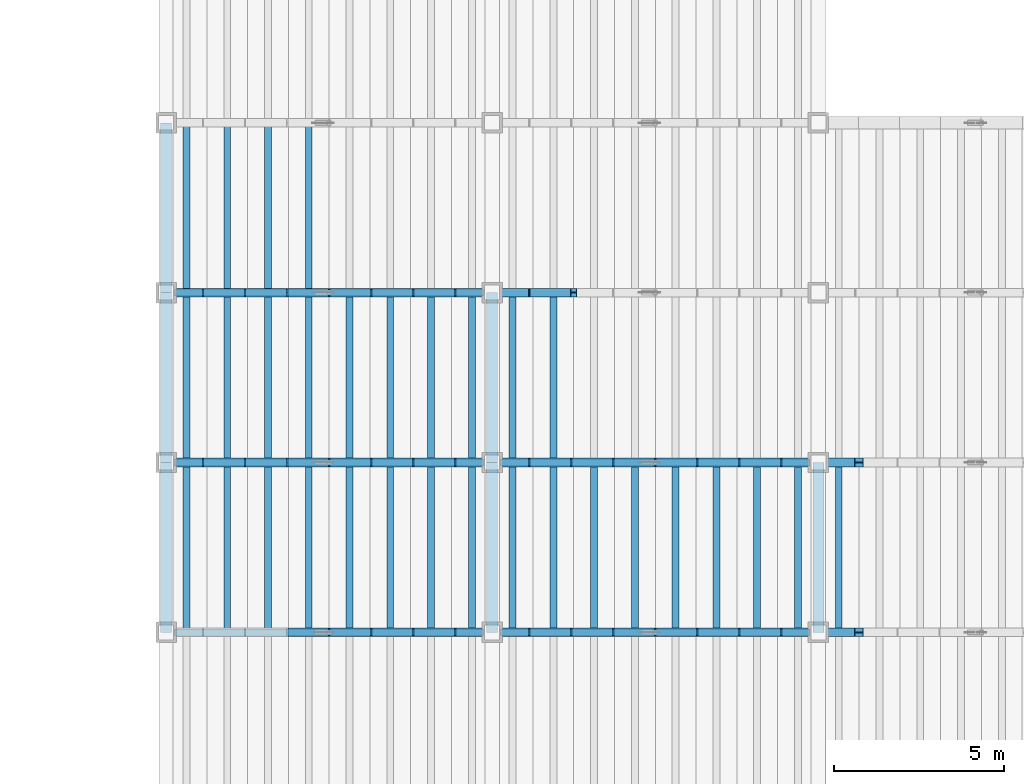
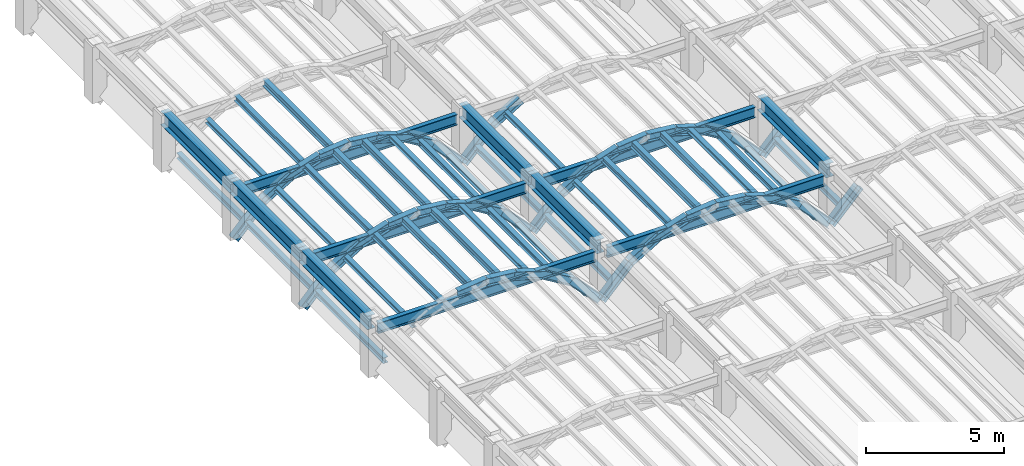
# One storey, part 20 of 70: 72 members, 11 beams.
"""IFC4 building model written with IfcOpenShell, lengths in metres."""

from ifc_helpers import new_model, si_unit, direction, frame, origin, origin_2d, place, context, subcontext, project, spatial, i_section, extrude, material, material_profile, profile_set, type_object, element, save


model = new_model("IFC4")

# Units and contexts
model_context = context("Model", 3, precision=1e-05, world=origin(), true_north=direction((0.0, 1.0)))
body_context = subcontext(model_context, "Body", "Model", "MODEL_VIEW")
ifc_project = project(units=[si_unit("LENGTHUNIT", "METRE"), si_unit("AREAUNIT", "SQUARE_METRE"), si_unit("VOLUMEUNIT", "CUBIC_METRE"), si_unit("PLANEANGLEUNIT", "RADIAN"), si_unit("MASSUNIT", "GRAM", prefix="KILO")], contexts=[model_context])

# Site, building, storey
site_placement = place(None, origin())
site = spatial("IfcSite", under=ifc_project, at=site_placement, CompositionType="ELEMENT")
building_placement = place(site_placement, origin())
building = spatial("IfcBuilding", under=site, at=building_placement, Name="Mavantir Sound Aquarium", CompositionType="ELEMENT")
storey_placement = place(building_placement, frame((0.0, 0.0, 27.0)))
storey = spatial("IfcBuildingStorey", under=building, at=storey_placement, Name="RF", CompositionType="ELEMENT", Elevation=27.0)

# Beams
ifc_material = material(Name="Structural Steel ASTM A992 Gr50", Category="steel")
ifc_material_profile_1 = material_profile(ifc_material, i_section(OverallWidth=0.194091796875, OverallDepth=0.468994140625, WebThickness=0.0126953125, FlangeThickness=0.0205078125, FilletRadius=0.01611328125, at=origin_2d()), Name="W460X106")
ifc_profile_set_1 = profile_set([ifc_material_profile_1], Name="Structural Steel ASTM A992 Gr50")
beam_type_1 = type_object("IfcBeamType", Name="BM-W460X106-I", PredefinedType="BEAM", material=ifc_profile_set_1)
for number, where, z_axis, x_axis, name in (
    (1, (108.25, 65.800048828125, -5.327392578125), (1.0, 0.0, 0.0), (0.0, 1.0, 0.0), "Scalloped bay 1 transverse tie girder 41"),
    (2, (108.25, 70.800048828125, -5.327392578125), (1.0, 0.0, 0.0), (0.0, 1.0, 0.0), "Scalloped bay 1 transverse tie girder 51"),
    (3, (108.25, 75.800048828125, -5.327392578125), (1.0, 0.0, 0.0), (0.0, 1.0, 0.0), "Scalloped bay 1 transverse tie girder 61"),
):
    element("IfcBeam", number, at=place(storey_placement, frame(where, z_axis=z_axis, x_axis=x_axis)), inside=storey, type_object=beam_type_1, Name=name, PredefinedType="BEAM", context=body_context, shape_type="SweptSolid", body=[
        extrude(i_section(OverallWidth=0.194091796875, OverallDepth=0.468994140625, WebThickness=0.0126953125, FlangeThickness=0.0205078125, FilletRadius=0.01611328125, at=origin_2d()), origin(), (0.0, 0.0, 1.0), 9.10009765625),
    ])
for number, where, z_axis, x_axis, name in (
    (4, (117.85009765625, 65.800048828125, -5.327392578125), (1.0, 0.0, 0.0), (0.0, 1.0, 0.0), "Scalloped bay 2 transverse tie girder 141"),
    (5, (117.85009765625, 70.800048828125, -5.327392578125), (1.0, 0.0, 0.0), (0.0, 1.0, 0.0), "Scalloped bay 2 transverse tie girder 151"),
):
    element("IfcBeam", number, at=place(storey_placement, frame(where, z_axis=z_axis, x_axis=x_axis)), inside=storey, type_object=beam_type_1, Name=name, PredefinedType="BEAM", context=body_context, shape_type="SweptSolid", body=[
        extrude(i_section(OverallWidth=0.194091796875, OverallDepth=0.468994140625, WebThickness=0.0126953125, FlangeThickness=0.0205078125, FilletRadius=0.01611328125, at=origin_2d()), origin(), (0.0, 0.0, 1.0), 9.099853515625),
    ])
ifc_material_profile_2 = material_profile(ifc_material, i_section(OverallWidth=0.323974609375, OverallDepth=0.611083984375, WebThickness=0.0126953125, FlangeThickness=0.01904296875, FilletRadius=0.01904296875, at=origin_2d()), Name="W610X155")
ifc_profile_set_2 = profile_set([ifc_material_profile_2], Name="Structural Steel ASTM A992 Gr50")
beam_type_2 = type_object("IfcBeamType", Name="BM-W610X155-E", PredefinedType="BEAM", material=ifc_profile_set_2)
for number, where, z_axis, x_axis, name in (
    (6, (108.0, 65.800048828125, -5.0048828125), (0.0, 1.0, 0.0), (-1.0, 0.0, 0.0), "Scalloped roof straight ridge beam 5"),
    (7, (108.0, 70.800048828125, -5.0048828125), (0.0, 1.0, 0.0), (-1.0, 0.0, 0.0), "Scalloped roof straight ridge beam 6"),
    (8, (108.0, 75.800048828125, -5.0048828125), (0.0, 1.0, 0.0), (-1.0, 0.0, 0.0), "Scalloped roof straight ridge beam 7"),
    (9, (117.60009765625, 65.800048828125, -5.0048828125), (0.0, 1.0, 0.0), (-1.0, 0.0, 0.0), "Scalloped roof straight ridge beam 14"),
    (10, (117.60009765625, 70.800048828125, -5.0048828125), (0.0, 1.0, 0.0), (-1.0, 0.0, 0.0), "Scalloped roof straight ridge beam 15"),
    (11, (127.199951171875, 65.800048828125, -5.0048828125), (0.0, 1.0, 0.0), (-1.0, 0.0, 0.0), "Scalloped roof straight ridge beam 23"),
):
    element("IfcBeam", number, at=place(storey_placement, frame(where, z_axis=z_axis, x_axis=x_axis)), inside=storey, type_object=beam_type_2, Name=name, PredefinedType="BEAM", context=body_context, shape_type="SweptSolid", body=[
        extrude(i_section(OverallWidth=0.323974609375, OverallDepth=0.611083984375, WebThickness=0.0126953125, FlangeThickness=0.01904296875, FilletRadius=0.01904296875, at=origin_2d()), origin(), (0.0, 0.0, 1.0), 5.0),
    ])

# Members
ifc_material_profile_3 = material_profile(ifc_material, i_section(OverallWidth=0.202880859375, OverallDepth=0.202880859375, WebThickness=0.007080078125, FlangeThickness=0.010986328125, FilletRadius=0.010009765625, at=origin_2d()), Name="W200X46")
ifc_profile_set_3 = profile_set([ifc_material_profile_3], Name="Structural Steel ASTM A992 Gr50")
member_type_1 = type_object("IfcMemberType", Name="MEM-TR-W200", PredefinedType="PURLIN", material=ifc_profile_set_3)
for number, where, z_axis, x_axis, name in (
    (12, (109.800048828125, 65.800048828125, -5.77978515625), (0.0, 1.0, 0.0), (-1.0, 0.0, 0.0), "Scalloped bay 1 roof purlin 34"),
    (13, (114.60009765625, 65.800048828125, -5.169921875), (0.0, 1.0, 0.0), (-1.0, 0.0, 0.0), "Scalloped bay 1 roof purlin 38"),
    (14, (117.0, 65.800048828125, -6.881103515625), (0.0, 1.0, 0.0), (-1.0, 0.0, 0.0), "Scalloped bay 1 roof purlin 40"),
    (15, (109.800048828125, 70.800048828125, -5.77978515625), (0.0, 1.0, 0.0), (-1.0, 0.0, 0.0), "Scalloped bay 1 roof purlin 42"),
    (16, (114.60009765625, 70.800048828125, -5.169921875), (0.0, 1.0, 0.0), (-1.0, 0.0, 0.0), "Scalloped bay 1 roof purlin 46"),
    (17, (117.0, 70.800048828125, -6.881103515625), (0.0, 1.0, 0.0), (-1.0, 0.0, 0.0), "Scalloped bay 1 roof purlin 48"),
    (18, (109.800048828125, 75.800048828125, -5.77978515625), (0.0, 1.0, 0.0), (-1.0, 0.0, 0.0), "Scalloped bay 1 roof purlin 50"),
    (19, (119.39990234375, 65.800048828125, -5.77978515625), (0.0, 1.0, 0.0), (-1.0, 0.0, 0.0), "Scalloped bay 2 roof purlin 106"),
    (20, (124.199951171875, 65.800048828125, -5.169921875), (0.0, 1.0, 0.0), (-1.0, 0.0, 0.0), "Scalloped bay 2 roof purlin 110"),
    (21, (126.60009765625, 65.800048828125, -6.881103515625), (0.0, 1.0, 0.0), (-1.0, 0.0, 0.0), "Scalloped bay 2 roof purlin 112"),
    (22, (119.39990234375, 70.800048828125, -5.77978515625), (0.0, 1.0, 0.0), (-1.0, 0.0, 0.0), "Scalloped bay 2 roof purlin 114"),
):
    element("IfcMember", number, at=place(storey_placement, frame(where, z_axis=z_axis, x_axis=x_axis)), inside=storey, type_object=member_type_1, Name=name, PredefinedType="PURLIN", context=body_context, shape_type="SweptSolid", body=[
        extrude(i_section(OverallWidth=0.202880859375, OverallDepth=0.202880859375, WebThickness=0.007080078125, FlangeThickness=0.010986328125, FilletRadius=0.010009765625, at=origin_2d()), origin(), (0.0, 0.0, 1.0), 5.0),
    ])
ifc_material_profile_4 = material_profile(ifc_material, i_section(OverallWidth=0.202880859375, OverallDepth=0.251953125, WebThickness=0.008056640625, FlangeThickness=0.013427734375, FilletRadius=0.011962890625, at=origin_2d()), Name="W250X58")
ifc_profile_set_4 = profile_set([ifc_material_profile_4], Name="Structural Steel ASTM A992 Gr50")
member_type_2 = type_object("IfcMemberType", Name="MEM-TR-W250", PredefinedType="PURLIN", material=ifc_profile_set_4)
for number, where, z_axis, x_axis, name in (
    (23, (108.60009765625, 65.800048828125, -6.90576171875), (0.0, 1.0, 0.0), (-1.0, 0.0, 0.0), "Scalloped bay 1 roof purlin 33"),
    (24, (111.0, 65.800048828125, -5.194580078125), (0.0, 1.0, 0.0), (-1.0, 0.0, 0.0), "Scalloped bay 1 roof purlin 35"),
    (25, (115.800048828125, 65.800048828125, -5.804443359375), (0.0, 1.0, 0.0), (-1.0, 0.0, 0.0), "Scalloped bay 1 roof purlin 39"),
    (26, (108.60009765625, 70.800048828125, -6.90576171875), (0.0, 1.0, 0.0), (-1.0, 0.0, 0.0), "Scalloped bay 1 roof purlin 41"),
    (27, (111.0, 70.800048828125, -5.194580078125), (0.0, 1.0, 0.0), (-1.0, 0.0, 0.0), "Scalloped bay 1 roof purlin 43"),
    (28, (115.800048828125, 70.800048828125, -5.804443359375), (0.0, 1.0, 0.0), (-1.0, 0.0, 0.0), "Scalloped bay 1 roof purlin 47"),
    (29, (108.60009765625, 75.800048828125, -6.90576171875), (0.0, 1.0, 0.0), (-1.0, 0.0, 0.0), "Scalloped bay 1 roof purlin 49"),
    (30, (111.0, 75.800048828125, -5.194580078125), (0.0, 1.0, 0.0), (-1.0, 0.0, 0.0), "Scalloped bay 1 roof purlin 51"),
    (31, (118.199951171875, 65.800048828125, -6.90576171875), (0.0, 1.0, 0.0), (-1.0, 0.0, 0.0), "Scalloped bay 2 roof purlin 105"),
    (32, (120.60009765625, 65.800048828125, -5.194580078125), (0.0, 1.0, 0.0), (-1.0, 0.0, 0.0), "Scalloped bay 2 roof purlin 107"),
    (33, (125.39990234375, 65.800048828125, -5.804443359375), (0.0, 1.0, 0.0), (-1.0, 0.0, 0.0), "Scalloped bay 2 roof purlin 111"),
    (34, (118.199951171875, 70.800048828125, -6.90576171875), (0.0, 1.0, 0.0), (-1.0, 0.0, 0.0), "Scalloped bay 2 roof purlin 113"),
    (35, (127.800048828125, 65.800048828125, -6.90576171875), (0.0, 1.0, 0.0), (-1.0, 0.0, 0.0), "Scalloped bay 3 roof purlin 169"),
):
    element("IfcMember", number, at=place(storey_placement, frame(where, z_axis=z_axis, x_axis=x_axis)), inside=storey, type_object=member_type_2, Name=name, PredefinedType="PURLIN", context=body_context, shape_type="SweptSolid", body=[
        extrude(i_section(OverallWidth=0.202880859375, OverallDepth=0.251953125, WebThickness=0.008056640625, FlangeThickness=0.013427734375, FilletRadius=0.011962890625, at=origin_2d()), origin(), (0.0, 0.0, 1.0), 5.0),
    ])
ifc_material_profile_5 = material_profile(ifc_material, i_section(OverallWidth=0.205078125, OverallDepth=0.31005859375, WebThickness=0.009521484375, FlangeThickness=0.016357421875, FilletRadius=0.012939453125, at=origin_2d()), Name="W310X74")
ifc_profile_set_5 = profile_set([ifc_material_profile_5], Name="Structural Steel ASTM A992 Gr50")
member_type_3 = type_object("IfcMemberType", Name="MEM-TR-W310", PredefinedType="RAFTER", material=ifc_profile_set_5)
for number, where, z_axis, x_axis, name in (
    (36, (112.199951171875, 65.800048828125, -4.933837890625), (0.0, 1.0, 0.0), (-1.0, 0.0, 0.0), "Scalloped bay 1 roof purlin 36"),
    (37, (113.39990234375, 65.800048828125, -4.933837890625), (0.0, 1.0, 0.0), (-1.0, 0.0, 0.0), "Scalloped bay 1 roof purlin 37"),
    (38, (112.199951171875, 70.800048828125, -4.933837890625), (0.0, 1.0, 0.0), (-1.0, 0.0, 0.0), "Scalloped bay 1 roof purlin 44"),
    (39, (113.39990234375, 70.800048828125, -4.933837890625), (0.0, 1.0, 0.0), (-1.0, 0.0, 0.0), "Scalloped bay 1 roof purlin 45"),
    (40, (112.199951171875, 75.800048828125, -4.933837890625), (0.0, 1.0, 0.0), (-1.0, 0.0, 0.0), "Scalloped bay 1 roof purlin 52"),
    (41, (121.800048828125, 65.800048828125, -4.933837890625), (0.0, 1.0, 0.0), (-1.0, 0.0, 0.0), "Scalloped bay 2 roof purlin 108"),
    (42, (123.0, 65.800048828125, -4.933837890625), (0.0, 1.0, 0.0), (-1.0, 0.0, 0.0), "Scalloped bay 2 roof purlin 109"),
):
    element("IfcMember", number, at=place(storey_placement, frame(where, z_axis=z_axis, x_axis=x_axis)), inside=storey, type_object=member_type_3, Name=name, PredefinedType="RAFTER", context=body_context, shape_type="SweptSolid", body=[
        extrude(i_section(OverallWidth=0.205078125, OverallDepth=0.31005859375, WebThickness=0.009521484375, FlangeThickness=0.016357421875, FilletRadius=0.012939453125, at=origin_2d()), origin(), (0.0, 0.0, 1.0), 5.0),
    ])
ifc_material_profile_6 = material_profile(ifc_material, i_section(OverallWidth=0.25390625, OverallDepth=0.35302734375, WebThickness=0.009521484375, FlangeThickness=0.016357421875, FilletRadius=0.014892578125, at=origin_2d()), Name="W360X91")
ifc_profile_set_6 = profile_set([ifc_material_profile_6], Name="Structural Steel ASTM A992 Gr50")
member_type_4 = type_object("IfcMemberType", Name="MEM-TR-W360", PredefinedType="RAFTER", material=ifc_profile_set_6)
for number, where, z_axis, x_axis, name in (
    (43, (111.60009765625, 65.800048828125, -5.000732421875), (0.994680359373, 0.0, 0.103009624196), (0.0, 1.0, 0.0), "Scalloped bay 1 sagging-arc trough rib 45"),
    (44, (112.800048828125, 65.800048828125, -4.87646484375), (0.994680359373, 0.0, -0.103009624196), (0.0, 1.0, 0.0), "Scalloped bay 1 sagging-arc trough rib 46"),
):
    element("IfcMember", number, at=place(storey_placement, frame(where, z_axis=z_axis, x_axis=x_axis)), inside=storey, type_object=member_type_4, Name=name, PredefinedType="RAFTER", context=body_context, shape_type="SweptSolid", body=[
        extrude(i_section(OverallWidth=0.25390625, OverallDepth=0.35302734375, WebThickness=0.009521484375, FlangeThickness=0.016357421875, FilletRadius=0.014892578125, at=origin_2d()), origin(), (0.0, 0.0, 1.0), 1.206298828125),
    ])
member_1_placement = place(storey_placement, frame((114.0, 65.800048828125, -5.000732421875), z_axis=(0.951055396379, 0.0, -0.309020441102), x_axis=(0.0, 1.0, 0.0)))
element("IfcMember", 45, at=member_1_placement, inside=storey, type_object=member_type_4, Name="Scalloped bay 1 sagging-arc trough rib 48", PredefinedType="RAFTER", context=body_context, shape_type="SweptSolid", body=[
    extrude(i_section(OverallWidth=0.25390625, OverallDepth=0.35302734375, WebThickness=0.009521484375, FlangeThickness=0.016357421875, FilletRadius=0.014892578125, at=origin_2d()), origin(), (0.0, 0.0, 1.0), 1.26171875),
])
member_2_placement = place(storey_placement, frame((115.199951171875, 65.800048828125, -5.390625), z_axis=(0.856645937356, 0.0, -0.515904776109), x_axis=(0.0, 1.0, 0.0)))
element("IfcMember", 46, at=member_2_placement, inside=storey, type_object=member_type_4, Name="Scalloped bay 1 sagging-arc trough rib 49", PredefinedType="RAFTER", context=body_context, shape_type="SweptSolid", body=[
    extrude(i_section(OverallWidth=0.25390625, OverallDepth=0.35302734375, WebThickness=0.009521484375, FlangeThickness=0.016357421875, FilletRadius=0.014892578125, at=origin_2d()), origin(), (0.0, 0.0, 1.0), 1.400634765625),
])
member_3_placement = place(storey_placement, frame((116.39990234375, 65.800048828125, -6.11328125), z_axis=(0.688801013332, 0.0, -0.724950456261), x_axis=(0.0, 1.0, 0.0)))
element("IfcMember", 47, at=member_3_placement, inside=storey, type_object=member_type_4, Name="Scalloped bay 1 sagging-arc trough rib 50", PredefinedType="RAFTER", context=body_context, shape_type="SweptSolid", body=[
    extrude(i_section(OverallWidth=0.25390625, OverallDepth=0.35302734375, WebThickness=0.009521484375, FlangeThickness=0.016357421875, FilletRadius=0.014892578125, at=origin_2d()), origin(), (0.0, 0.0, 1.0), 1.742431640625),
])
member_4_placement = place(storey_placement, frame((108.0, 70.800048828125, -7.37646484375), z_axis=(0.688727365252, 0.0, 0.725020424784), x_axis=(0.0, 1.0, 0.0)))
element("IfcMember", 48, at=member_4_placement, inside=storey, type_object=member_type_4, Name="Scalloped bay 1 sagging-arc trough rib 52", PredefinedType="RAFTER", context=body_context, shape_type="SweptSolid", body=[
    extrude(i_section(OverallWidth=0.25390625, OverallDepth=0.35302734375, WebThickness=0.009521484375, FlangeThickness=0.016357421875, FilletRadius=0.014892578125, at=origin_2d()), origin(), (0.0, 0.0, 1.0), 1.7421875),
])
member_5_placement = place(storey_placement, frame((109.199951171875, 70.800048828125, -6.11328125), z_axis=(0.856645937356, 0.0, 0.515904776109), x_axis=(0.0, 1.0, 0.0)))
element("IfcMember", 49, at=member_5_placement, inside=storey, type_object=member_type_4, Name="Scalloped bay 1 sagging-arc trough rib 53", PredefinedType="RAFTER", context=body_context, shape_type="SweptSolid", body=[
    extrude(i_section(OverallWidth=0.25390625, OverallDepth=0.35302734375, WebThickness=0.009521484375, FlangeThickness=0.016357421875, FilletRadius=0.014892578125, at=origin_2d()), origin(), (0.0, 0.0, 1.0), 1.400634765625),
])
member_6_placement = place(storey_placement, frame((110.39990234375, 70.800048828125, -5.390625), z_axis=(0.951073869353, 0.0, 0.30896358205), x_axis=(0.0, 1.0, 0.0)))
element("IfcMember", 50, at=member_6_placement, inside=storey, type_object=member_type_4, Name="Scalloped bay 1 sagging-arc trough rib 54", PredefinedType="RAFTER", context=body_context, shape_type="SweptSolid", body=[
    extrude(i_section(OverallWidth=0.25390625, OverallDepth=0.35302734375, WebThickness=0.009521484375, FlangeThickness=0.016357421875, FilletRadius=0.014892578125, at=origin_2d()), origin(), (0.0, 0.0, 1.0), 1.261962890625),
])
for number, where, z_axis, x_axis, name in (
    (51, (111.60009765625, 70.800048828125, -5.000732421875), (0.994680359373, 0.0, 0.103009624196), (0.0, 1.0, 0.0), "Scalloped bay 1 sagging-arc trough rib 55"),
    (52, (112.800048828125, 70.800048828125, -4.87646484375), (0.994680359373, 0.0, -0.103009624196), (0.0, 1.0, 0.0), "Scalloped bay 1 sagging-arc trough rib 56"),
):
    element("IfcMember", number, at=place(storey_placement, frame(where, z_axis=z_axis, x_axis=x_axis)), inside=storey, type_object=member_type_4, Name=name, PredefinedType="RAFTER", context=body_context, shape_type="SweptSolid", body=[
        extrude(i_section(OverallWidth=0.25390625, OverallDepth=0.35302734375, WebThickness=0.009521484375, FlangeThickness=0.016357421875, FilletRadius=0.014892578125, at=origin_2d()), origin(), (0.0, 0.0, 1.0), 1.206298828125),
    ])
member_7_placement = place(storey_placement, frame((114.0, 70.800048828125, -5.000732421875), z_axis=(0.951055396379, 0.0, -0.309020441102), x_axis=(0.0, 1.0, 0.0)))
element("IfcMember", 53, at=member_7_placement, inside=storey, type_object=member_type_4, Name="Scalloped bay 1 sagging-arc trough rib 58", PredefinedType="RAFTER", context=body_context, shape_type="SweptSolid", body=[
    extrude(i_section(OverallWidth=0.25390625, OverallDepth=0.35302734375, WebThickness=0.009521484375, FlangeThickness=0.016357421875, FilletRadius=0.014892578125, at=origin_2d()), origin(), (0.0, 0.0, 1.0), 1.26171875),
])
member_8_placement = place(storey_placement, frame((115.199951171875, 70.800048828125, -5.390625), z_axis=(0.856645937356, 0.0, -0.515904776109), x_axis=(0.0, 1.0, 0.0)))
element("IfcMember", 54, at=member_8_placement, inside=storey, type_object=member_type_4, Name="Scalloped bay 1 sagging-arc trough rib 59", PredefinedType="RAFTER", context=body_context, shape_type="SweptSolid", body=[
    extrude(i_section(OverallWidth=0.25390625, OverallDepth=0.35302734375, WebThickness=0.009521484375, FlangeThickness=0.016357421875, FilletRadius=0.014892578125, at=origin_2d()), origin(), (0.0, 0.0, 1.0), 1.400634765625),
])
member_9_placement = place(storey_placement, frame((116.39990234375, 70.800048828125, -6.11328125), z_axis=(0.688801013332, 0.0, -0.724950456261), x_axis=(0.0, 1.0, 0.0)))
element("IfcMember", 55, at=member_9_placement, inside=storey, type_object=member_type_4, Name="Scalloped bay 1 sagging-arc trough rib 60", PredefinedType="RAFTER", context=body_context, shape_type="SweptSolid", body=[
    extrude(i_section(OverallWidth=0.25390625, OverallDepth=0.35302734375, WebThickness=0.009521484375, FlangeThickness=0.016357421875, FilletRadius=0.014892578125, at=origin_2d()), origin(), (0.0, 0.0, 1.0), 1.742431640625),
])
member_10_placement = place(storey_placement, frame((108.0, 75.800048828125, -7.37646484375), z_axis=(0.688727365252, 0.0, 0.725020424784), x_axis=(0.0, 1.0, 0.0)))
element("IfcMember", 56, at=member_10_placement, inside=storey, type_object=member_type_4, Name="Scalloped bay 1 sagging-arc trough rib 62", PredefinedType="RAFTER", context=body_context, shape_type="SweptSolid", body=[
    extrude(i_section(OverallWidth=0.25390625, OverallDepth=0.35302734375, WebThickness=0.009521484375, FlangeThickness=0.016357421875, FilletRadius=0.014892578125, at=origin_2d()), origin(), (0.0, 0.0, 1.0), 1.7421875),
])
member_11_placement = place(storey_placement, frame((109.199951171875, 75.800048828125, -6.11328125), z_axis=(0.856645937356, 0.0, 0.515904776109), x_axis=(0.0, 1.0, 0.0)))
element("IfcMember", 57, at=member_11_placement, inside=storey, type_object=member_type_4, Name="Scalloped bay 1 sagging-arc trough rib 63", PredefinedType="RAFTER", context=body_context, shape_type="SweptSolid", body=[
    extrude(i_section(OverallWidth=0.25390625, OverallDepth=0.35302734375, WebThickness=0.009521484375, FlangeThickness=0.016357421875, FilletRadius=0.014892578125, at=origin_2d()), origin(), (0.0, 0.0, 1.0), 1.400634765625),
])
member_12_placement = place(storey_placement, frame((110.39990234375, 75.800048828125, -5.390625), z_axis=(0.951073869353, 0.0, 0.30896358205), x_axis=(0.0, 1.0, 0.0)))
element("IfcMember", 58, at=member_12_placement, inside=storey, type_object=member_type_4, Name="Scalloped bay 1 sagging-arc trough rib 64", PredefinedType="RAFTER", context=body_context, shape_type="SweptSolid", body=[
    extrude(i_section(OverallWidth=0.25390625, OverallDepth=0.35302734375, WebThickness=0.009521484375, FlangeThickness=0.016357421875, FilletRadius=0.014892578125, at=origin_2d()), origin(), (0.0, 0.0, 1.0), 1.261962890625),
])
for number, where, z_axis, x_axis, name in (
    (59, (111.60009765625, 75.800048828125, -5.000732421875), (0.994680359373, 0.0, 0.103009624196), (0.0, 1.0, 0.0), "Scalloped bay 1 sagging-arc trough rib 65"),
    (60, (112.800048828125, 75.800048828125, -4.87646484375), (0.994680359373, 0.0, -0.103009624196), (0.0, 1.0, 0.0), "Scalloped bay 1 sagging-arc trough rib 66"),
):
    element("IfcMember", number, at=place(storey_placement, frame(where, z_axis=z_axis, x_axis=x_axis)), inside=storey, type_object=member_type_4, Name=name, PredefinedType="RAFTER", context=body_context, shape_type="SweptSolid", body=[
        extrude(i_section(OverallWidth=0.25390625, OverallDepth=0.35302734375, WebThickness=0.009521484375, FlangeThickness=0.016357421875, FilletRadius=0.014892578125, at=origin_2d()), origin(), (0.0, 0.0, 1.0), 1.206298828125),
    ])
member_13_placement = place(storey_placement, frame((114.0, 75.800048828125, -5.000732421875), z_axis=(0.951055396379, 0.0, -0.309020441102), x_axis=(0.0, 1.0, 0.0)))
element("IfcMember", 61, at=member_13_placement, inside=storey, type_object=member_type_4, Name="Scalloped bay 1 sagging-arc trough rib 68", PredefinedType="RAFTER", context=body_context, shape_type="SweptSolid", body=[
    extrude(i_section(OverallWidth=0.25390625, OverallDepth=0.35302734375, WebThickness=0.009521484375, FlangeThickness=0.016357421875, FilletRadius=0.014892578125, at=origin_2d()), origin(), (0.0, 0.0, 1.0), 1.26171875),
])
member_14_placement = place(storey_placement, frame((115.199951171875, 75.800048828125, -5.390625), z_axis=(0.856645937356, 0.0, -0.515904776109), x_axis=(0.0, 1.0, 0.0)))
element("IfcMember", 62, at=member_14_placement, inside=storey, type_object=member_type_4, Name="Scalloped bay 1 sagging-arc trough rib 69", PredefinedType="RAFTER", context=body_context, shape_type="SweptSolid", body=[
    extrude(i_section(OverallWidth=0.25390625, OverallDepth=0.35302734375, WebThickness=0.009521484375, FlangeThickness=0.016357421875, FilletRadius=0.014892578125, at=origin_2d()), origin(), (0.0, 0.0, 1.0), 1.400634765625),
])
member_15_placement = place(storey_placement, frame((116.39990234375, 75.800048828125, -6.11328125), z_axis=(0.688801013332, 0.0, -0.724950456261), x_axis=(0.0, 1.0, 0.0)))
element("IfcMember", 63, at=member_15_placement, inside=storey, type_object=member_type_4, Name="Scalloped bay 1 sagging-arc trough rib 70", PredefinedType="RAFTER", context=body_context, shape_type="SweptSolid", body=[
    extrude(i_section(OverallWidth=0.25390625, OverallDepth=0.35302734375, WebThickness=0.009521484375, FlangeThickness=0.016357421875, FilletRadius=0.014892578125, at=origin_2d()), origin(), (0.0, 0.0, 1.0), 1.742431640625),
])
member_16_placement = place(storey_placement, frame((117.60009765625, 65.800048828125, -7.37646484375), z_axis=(0.688727365252, 0.0, 0.725020424784), x_axis=(0.0, 1.0, 0.0)))
element("IfcMember", 64, at=member_16_placement, inside=storey, type_object=member_type_4, Name="Scalloped bay 2 sagging-arc trough rib 142", PredefinedType="RAFTER", context=body_context, shape_type="SweptSolid", body=[
    extrude(i_section(OverallWidth=0.25390625, OverallDepth=0.35302734375, WebThickness=0.009521484375, FlangeThickness=0.016357421875, FilletRadius=0.014892578125, at=origin_2d()), origin(), (0.0, 0.0, 1.0), 1.7421875),
])
member_17_placement = place(storey_placement, frame((118.800048828125, 65.800048828125, -6.11328125), z_axis=(0.856645937356, 0.0, 0.515904776109), x_axis=(0.0, 1.0, 0.0)))
element("IfcMember", 65, at=member_17_placement, inside=storey, type_object=member_type_4, Name="Scalloped bay 2 sagging-arc trough rib 143", PredefinedType="RAFTER", context=body_context, shape_type="SweptSolid", body=[
    extrude(i_section(OverallWidth=0.25390625, OverallDepth=0.35302734375, WebThickness=0.009521484375, FlangeThickness=0.016357421875, FilletRadius=0.014892578125, at=origin_2d()), origin(), (0.0, 0.0, 1.0), 1.400634765625),
])
member_18_placement = place(storey_placement, frame((120.0, 65.800048828125, -5.390625), z_axis=(0.951055396379, 0.0, 0.309020441102), x_axis=(0.0, 1.0, 0.0)))
element("IfcMember", 66, at=member_18_placement, inside=storey, type_object=member_type_4, Name="Scalloped bay 2 sagging-arc trough rib 144", PredefinedType="RAFTER", context=body_context, shape_type="SweptSolid", body=[
    extrude(i_section(OverallWidth=0.25390625, OverallDepth=0.35302734375, WebThickness=0.009521484375, FlangeThickness=0.016357421875, FilletRadius=0.014892578125, at=origin_2d()), origin(), (0.0, 0.0, 1.0), 1.26171875),
])
member_19_placement = place(storey_placement, frame((121.199951171875, 65.800048828125, -5.000732421875), z_axis=(0.994680359373, 0.0, 0.103009624196), x_axis=(0.0, 1.0, 0.0)))
element("IfcMember", 67, at=member_19_placement, inside=storey, type_object=member_type_4, Name="Scalloped bay 2 sagging-arc trough rib 145", PredefinedType="RAFTER", context=body_context, shape_type="SweptSolid", body=[
    extrude(i_section(OverallWidth=0.25390625, OverallDepth=0.35302734375, WebThickness=0.009521484375, FlangeThickness=0.016357421875, FilletRadius=0.014892578125, at=origin_2d()), origin(), (0.0, 0.0, 1.0), 1.206298828125),
])
member_20_placement = place(storey_placement, frame((122.39990234375, 65.800048828125, -4.87646484375), z_axis=(0.994682506138, 0.0, -0.102988892519), x_axis=(0.0, 1.0, 0.0)))
element("IfcMember", 68, at=member_20_placement, inside=storey, type_object=member_type_4, Name="Scalloped bay 2 sagging-arc trough rib 146", PredefinedType="RAFTER", context=body_context, shape_type="SweptSolid", body=[
    extrude(i_section(OverallWidth=0.25390625, OverallDepth=0.35302734375, WebThickness=0.009521484375, FlangeThickness=0.016357421875, FilletRadius=0.014892578125, at=origin_2d()), origin(), (0.0, 0.0, 1.0), 1.20654296875),
])
member_21_placement = place(storey_placement, frame((123.60009765625, 65.800048828125, -5.000732421875), z_axis=(0.951055396379, 0.0, -0.309020441102), x_axis=(0.0, 1.0, 0.0)))
element("IfcMember", 69, at=member_21_placement, inside=storey, type_object=member_type_4, Name="Scalloped bay 2 sagging-arc trough rib 148", PredefinedType="RAFTER", context=body_context, shape_type="SweptSolid", body=[
    extrude(i_section(OverallWidth=0.25390625, OverallDepth=0.35302734375, WebThickness=0.009521484375, FlangeThickness=0.016357421875, FilletRadius=0.014892578125, at=origin_2d()), origin(), (0.0, 0.0, 1.0), 1.26171875),
])
member_22_placement = place(storey_placement, frame((124.800048828125, 65.800048828125, -5.390625), z_axis=(0.856645937356, 0.0, -0.515904776109), x_axis=(0.0, 1.0, 0.0)))
element("IfcMember", 70, at=member_22_placement, inside=storey, type_object=member_type_4, Name="Scalloped bay 2 sagging-arc trough rib 149", PredefinedType="RAFTER", context=body_context, shape_type="SweptSolid", body=[
    extrude(i_section(OverallWidth=0.25390625, OverallDepth=0.35302734375, WebThickness=0.009521484375, FlangeThickness=0.016357421875, FilletRadius=0.014892578125, at=origin_2d()), origin(), (0.0, 0.0, 1.0), 1.400634765625),
])
for number, where, z_axis, x_axis, name in (
    (71, (126.0, 65.800048828125, -6.11328125), (0.688727365252, 0.0, -0.725020424784), (0.0, 1.0, 0.0), "Scalloped bay 2 sagging-arc trough rib 150"),
    (72, (117.60009765625, 70.800048828125, -7.37646484375), (0.688727365252, 0.0, 0.725020424784), (0.0, 1.0, 0.0), "Scalloped bay 2 sagging-arc trough rib 152"),
):
    element("IfcMember", number, at=place(storey_placement, frame(where, z_axis=z_axis, x_axis=x_axis)), inside=storey, type_object=member_type_4, Name=name, PredefinedType="RAFTER", context=body_context, shape_type="SweptSolid", body=[
        extrude(i_section(OverallWidth=0.25390625, OverallDepth=0.35302734375, WebThickness=0.009521484375, FlangeThickness=0.016357421875, FilletRadius=0.014892578125, at=origin_2d()), origin(), (0.0, 0.0, 1.0), 1.7421875),
    ])
member_23_placement = place(storey_placement, frame((118.800048828125, 70.800048828125, -6.11328125), z_axis=(0.856645937356, 0.0, 0.515904776109), x_axis=(0.0, 1.0, 0.0)))
element("IfcMember", 73, at=member_23_placement, inside=storey, type_object=member_type_4, Name="Scalloped bay 2 sagging-arc trough rib 153", PredefinedType="RAFTER", context=body_context, shape_type="SweptSolid", body=[
    extrude(i_section(OverallWidth=0.25390625, OverallDepth=0.35302734375, WebThickness=0.009521484375, FlangeThickness=0.016357421875, FilletRadius=0.014892578125, at=origin_2d()), origin(), (0.0, 0.0, 1.0), 1.400634765625),
])
member_24_placement = place(storey_placement, frame((120.0, 70.800048828125, -5.390625), z_axis=(0.951055396379, 0.0, 0.309020441102), x_axis=(0.0, 1.0, 0.0)))
element("IfcMember", 74, at=member_24_placement, inside=storey, type_object=member_type_4, Name="Scalloped bay 2 sagging-arc trough rib 154", PredefinedType="RAFTER", context=body_context, shape_type="SweptSolid", body=[
    extrude(i_section(OverallWidth=0.25390625, OverallDepth=0.35302734375, WebThickness=0.009521484375, FlangeThickness=0.016357421875, FilletRadius=0.014892578125, at=origin_2d()), origin(), (0.0, 0.0, 1.0), 1.26171875),
])
member_25_placement = place(storey_placement, frame((121.199951171875, 70.800048828125, -5.000732421875), z_axis=(0.994680359373, 0.0, 0.103009624196), x_axis=(0.0, 1.0, 0.0)))
element("IfcMember", 75, at=member_25_placement, inside=storey, type_object=member_type_4, Name="Scalloped bay 2 sagging-arc trough rib 155", PredefinedType="RAFTER", context=body_context, shape_type="SweptSolid", body=[
    extrude(i_section(OverallWidth=0.25390625, OverallDepth=0.35302734375, WebThickness=0.009521484375, FlangeThickness=0.016357421875, FilletRadius=0.014892578125, at=origin_2d()), origin(), (0.0, 0.0, 1.0), 1.206298828125),
])
member_26_placement = place(storey_placement, frame((122.39990234375, 70.800048828125, -4.87646484375), z_axis=(0.994682506138, 0.0, -0.102988892519), x_axis=(0.0, 1.0, 0.0)))
element("IfcMember", 76, at=member_26_placement, inside=storey, type_object=member_type_4, Name="Scalloped bay 2 sagging-arc trough rib 156", PredefinedType="RAFTER", context=body_context, shape_type="SweptSolid", body=[
    extrude(i_section(OverallWidth=0.25390625, OverallDepth=0.35302734375, WebThickness=0.009521484375, FlangeThickness=0.016357421875, FilletRadius=0.014892578125, at=origin_2d()), origin(), (0.0, 0.0, 1.0), 1.20654296875),
])
member_27_placement = place(storey_placement, frame((123.60009765625, 70.800048828125, -5.000732421875), z_axis=(0.951055396379, 0.0, -0.309020441102), x_axis=(0.0, 1.0, 0.0)))
element("IfcMember", 77, at=member_27_placement, inside=storey, type_object=member_type_4, Name="Scalloped bay 2 sagging-arc trough rib 158", PredefinedType="RAFTER", context=body_context, shape_type="SweptSolid", body=[
    extrude(i_section(OverallWidth=0.25390625, OverallDepth=0.35302734375, WebThickness=0.009521484375, FlangeThickness=0.016357421875, FilletRadius=0.014892578125, at=origin_2d()), origin(), (0.0, 0.0, 1.0), 1.26171875),
])
member_28_placement = place(storey_placement, frame((124.800048828125, 70.800048828125, -5.390625), z_axis=(0.856645937356, 0.0, -0.515904776109), x_axis=(0.0, 1.0, 0.0)))
element("IfcMember", 78, at=member_28_placement, inside=storey, type_object=member_type_4, Name="Scalloped bay 2 sagging-arc trough rib 159", PredefinedType="RAFTER", context=body_context, shape_type="SweptSolid", body=[
    extrude(i_section(OverallWidth=0.25390625, OverallDepth=0.35302734375, WebThickness=0.009521484375, FlangeThickness=0.016357421875, FilletRadius=0.014892578125, at=origin_2d()), origin(), (0.0, 0.0, 1.0), 1.400634765625),
])
for number, where, z_axis, x_axis, name in (
    (79, (126.0, 70.800048828125, -6.11328125), (0.688727365252, 0.0, -0.725020424784), (0.0, 1.0, 0.0), "Scalloped bay 2 sagging-arc trough rib 160"),
    (80, (117.60009765625, 75.800048828125, -7.37646484375), (0.688727365252, 0.0, 0.725020424784), (0.0, 1.0, 0.0), "Scalloped bay 2 sagging-arc trough rib 162"),
):
    element("IfcMember", number, at=place(storey_placement, frame(where, z_axis=z_axis, x_axis=x_axis)), inside=storey, type_object=member_type_4, Name=name, PredefinedType="RAFTER", context=body_context, shape_type="SweptSolid", body=[
        extrude(i_section(OverallWidth=0.25390625, OverallDepth=0.35302734375, WebThickness=0.009521484375, FlangeThickness=0.016357421875, FilletRadius=0.014892578125, at=origin_2d()), origin(), (0.0, 0.0, 1.0), 1.7421875),
    ])
member_29_placement = place(storey_placement, frame((118.800048828125, 75.800048828125, -6.11328125), z_axis=(0.856645937356, 0.0, 0.515904776109), x_axis=(0.0, 1.0, 0.0)))
element("IfcMember", 81, at=member_29_placement, inside=storey, type_object=member_type_4, Name="Scalloped bay 2 sagging-arc trough rib 163", PredefinedType="RAFTER", context=body_context, shape_type="SweptSolid", body=[
    extrude(i_section(OverallWidth=0.25390625, OverallDepth=0.35302734375, WebThickness=0.009521484375, FlangeThickness=0.016357421875, FilletRadius=0.014892578125, at=origin_2d()), origin(), (0.0, 0.0, 1.0), 1.400634765625),
])
for number, where, z_axis, x_axis, name in (
    (82, (127.199951171875, 65.800048828125, -7.37646484375), (0.688727365252, 0.0, 0.725020424784), (0.0, 1.0, 0.0), "Scalloped bay 3 sagging-arc trough rib 232"),
    (83, (127.199951171875, 70.800048828125, -7.37646484375), (0.688727365252, 0.0, 0.725020424784), (0.0, 1.0, 0.0), "Scalloped bay 3 sagging-arc trough rib 242"),
):
    element("IfcMember", number, at=place(storey_placement, frame(where, z_axis=z_axis, x_axis=x_axis)), inside=storey, type_object=member_type_4, Name=name, PredefinedType="RAFTER", context=body_context, shape_type="SweptSolid", body=[
        extrude(i_section(OverallWidth=0.25390625, OverallDepth=0.35302734375, WebThickness=0.009521484375, FlangeThickness=0.016357421875, FilletRadius=0.014892578125, at=origin_2d()), origin(), (0.0, 0.0, 1.0), 1.7421875),
    ])

save(model, "model.ifc")
